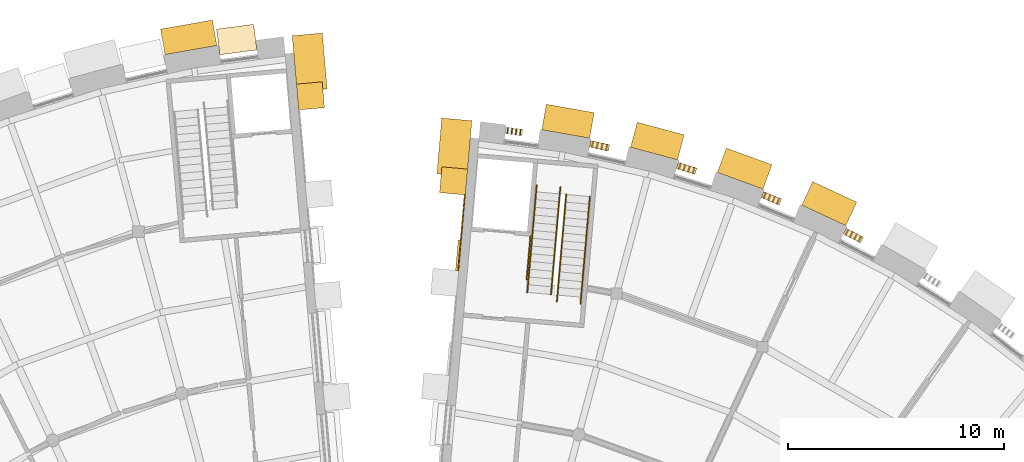
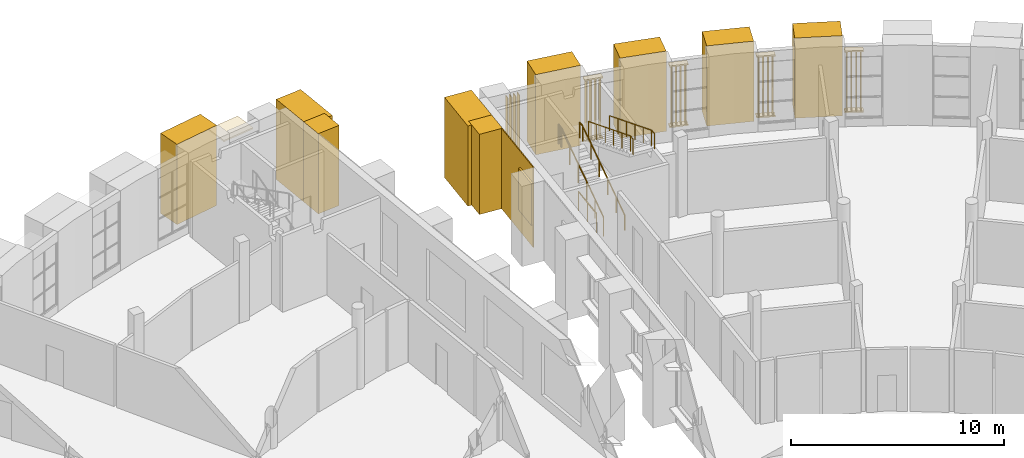
# One storey, part 47 of 50: 40 coverings, 5 railings.
"""IFC4 building model written with IfcOpenShell, lengths in metres."""

from ifc_helpers import new_model, si_unit, direction, frame, origin, origin_2d, place, context, subcontext, project, spatial, polyline, rectangle, circle, outline, extrude, material, layer, layer_set, type_object, element, save


model = new_model("IFC4")

# Units and contexts
model_context = context("Model", 3, precision=1e-05, world=origin(), true_north=direction((0.0, 1.0)))
body_context = subcontext(model_context, "Body", "Model", "MODEL_VIEW")
ifc_project = project(units=[si_unit("LENGTHUNIT", "METRE"), si_unit("AREAUNIT", "SQUARE_METRE"), si_unit("VOLUMEUNIT", "CUBIC_METRE"), si_unit("PLANEANGLEUNIT", "RADIAN"), si_unit("MASSUNIT", "GRAM", prefix="KILO")], contexts=[model_context])

# Site, building, storey
site_placement = place(None, origin())
site = spatial("IfcSite", under=ifc_project, at=site_placement, CompositionType="ELEMENT")
building_placement = place(site_placement, origin())
building = spatial("IfcBuilding", under=site, at=building_placement, Name="Volute Hill Aquarium", CompositionType="ELEMENT")
storey_placement = place(building_placement, frame((0.0, 0.0, 9.199951171875)))
storey = spatial("IfcBuildingStorey", under=building, at=storey_placement, Name="L03", CompositionType="ELEMENT", Elevation=9.199951171875)

# Coverings
ifc_material_1 = material(Name="Aluminium", Category="aluminium")
ifc_layer_1 = layer(ifc_material_1, 0.10009765625)
ifc_layer_set_1 = layer_set([ifc_layer_1], Name="End wall plant louvre panel 100")
covering_type_1 = type_object("IfcCoveringType", Name="End wall plant louvre panel 100", PredefinedType="CLADDING", material=ifc_layer_set_1)
covering_1_placement = place(storey_placement, frame((3.34326171875, 41.65673828125, 1.300048828125), z_axis=(0.0, 0.0, 1.0), x_axis=(0.087153815516, 0.996194866701, 0.0)))
element("IfcCovering", 1, at=covering_1_placement, inside=storey, type_object=covering_type_1, Name="End wall plant louvre EWV S5B L03 5", PredefinedType="CLADDING", context=body_context, shape_type="SweptSolid", body=[
    extrude(rectangle(XDim=1.4111328125, YDim=0.10009765625, at=origin_2d()), origin(), (0.0, 0.0, 1.0), 2.39990234375),
])
ifc_material_2 = material(Name="Precast concrete C40/50", Category="concrete")
covering_type_2 = type_object("IfcCoveringType", Name="End wall precast fin C40/50 1200x1200", PredefinedType="CLADDING", material=ifc_material_2)
for number, where, z_axis, x_axis, name in (
    (2, (3.142578125, 45.09765625, 0.0), (0.0, 0.0, 1.0), (0.087153815516, 0.996194866701, 0.0), "End wall fin EWF S5B L03 6"),
    (3, (-3.48681640625, 49.03271484375, 0.0), (0.0, 0.0, 1.0), (-0.08715511842, 0.996194752713, 0.0), "End wall fin EWF S6A L03 7"),
):
    element("IfcCovering", number, at=place(storey_placement, frame(where, z_axis=z_axis, x_axis=x_axis)), inside=storey, type_object=covering_type_2, Name=name, PredefinedType="CLADDING", context=body_context, shape_type="SweptSolid", body=[
        extrude(rectangle(XDim=1.199951171875, YDim=1.199951171875, at=origin_2d()), origin(), (0.0, 0.0, 1.0), 4.60009765625),
    ])
ifc_material_3 = material(Name="Precast concrete C40/50", Category="concrete")
ifc_layer_2 = layer(ifc_material_3, 0.050048828125)
ifc_layer_set_2 = layer_set([ifc_layer_2], Name="End wall precast infill panel C40/50 50")
covering_type_3 = type_object("IfcCoveringType", Name="End wall precast infill panel C40/50 50", PredefinedType="CLADDING", material=ifc_layer_set_2)
covering_2_placement = place(storey_placement, frame((3.381591796875, 40.945068359375, 0.0), z_axis=(0.996195902867, -0.087141971011, 0.0), x_axis=(0.087141971011, 0.996195902867, 0.0)))
element("IfcCovering", 4, at=covering_2_placement, inside=storey, type_object=covering_type_3, Name="End wall panel EWP S5B L03 5", PredefinedType="CLADDING", context=body_context, shape_type="SweptSolid", body=[
    extrude(outline(polyline([(0.0, 0.0), (3.516060984386417, 0.0), (3.516060984386417, 4.600097656250001), (0.0, 4.600097656250001), (0.0, 0.0)])), origin(), (0.0, 0.0, -1.0), 0.050048828125),
])

# Railings
ifc_material_4 = material(Name="Stainless steel 1.4301", Category="steel")
railing_type_1 = type_object("IfcRailingType", Name="Guard 1100 stainless", PredefinedType="GUARDRAIL", material=ifc_material_4)
railing_1_placement = place(storey_placement, frame((6.701904296875, 42.527587890625, 0.0)))
element("IfcRailing", 5, at=railing_1_placement, inside=storey, type_object=railing_type_1, Name="gd/S5-B/L03/edge", PredefinedType="GUARDRAIL", context=body_context, shape_type="SweptSolid", body=[
    extrude(circle(Radius=0.02392578125, at=origin_2d()), frame((0.0, 0.0, 1.076171875), z_axis=(-0.087166950281, -0.996193717496, 0.0), x_axis=(0.996193717496, -0.087166950281, 0.0)), (0.0, 0.0, 1.0), 1.999755859375),
    extrude(circle(Radius=0.02099609375, at=origin_2d()), origin(), (0.0, 0.0, 1.0), 1.052001953125),
    extrude(circle(Radius=0.02099609375, at=origin_2d()), frame((-0.087158203125, -0.99609375, 0.0)), (0.0, 0.0, 1.0), 1.052001953125),
    extrude(circle(Radius=0.02099609375, at=origin_2d()), frame((-0.17431640625, -1.9921875, 0.0)), (0.0, 0.0, 1.0), 1.052001953125),
])
railing_2_placement = place(storey_placement, frame((6.55517578125, 39.9306640625, 0.164306640625)))
element("IfcRailing", 6, at=railing_2_placement, inside=storey, type_object=railing_type_1, Name="gd/S5-B/L03/1", PredefinedType="GUARDRAIL", context=body_context, shape_type="SweptSolid", body=[
    extrude(circle(Radius=0.02392578125, at=origin_2d()), frame((0.0, 0.0, 1.076171875), z_axis=(0.079257047186, 0.906282977881, 0.415174041187), x_axis=(-0.996197793412, 0.087120355834, 0.0)), (0.0, 0.0, 1.0), 5.144287109375),
    extrude(circle(Radius=0.02392578125, at=origin_2d()), frame((0.40771484375, 4.662109375, 3.2119140625), z_axis=(0.087893810296, 0.996129850025, 0.0), x_axis=(-0.996129850025, 0.087893810296, 0.0)), (0.0, 0.0, 1.0), 0.300048828125),
    extrude(circle(Radius=0.02099609375, at=origin_2d()), origin(), (0.0, 0.0, 1.0), 1.052001953125),
    extrude(circle(Radius=0.02099609375, at=origin_2d()), frame((0.08154296875, 0.932373046875, 0.42724609375)), (0.0, 0.0, 1.0), 1.052001953125),
    extrude(circle(Radius=0.02099609375, at=origin_2d()), frame((0.1630859375, 1.86474609375, 0.854248046875)), (0.0, 0.0, 1.0), 1.052001953125),
    extrude(circle(Radius=0.02099609375, at=origin_2d()), frame((0.24462890625, 2.79736328125, 1.281494140625)), (0.0, 0.0, 1.0), 1.052001953125),
    extrude(circle(Radius=0.02099609375, at=origin_2d()), frame((0.326171875, 3.729736328125, 1.70849609375)), (0.0, 0.0, 1.0), 1.052001953125),
    extrude(circle(Radius=0.02099609375, at=origin_2d()), frame((0.40771484375, 4.662109375, 2.1357421875)), (0.0, 0.0, 1.0), 1.052001953125),
    extrude(circle(Radius=0.02099609375, at=origin_2d()), frame((0.43408203125, 4.9609375, 2.1357421875)), (0.0, 0.0, 1.0), 1.052001953125),
])
ifc_material_5 = material(Name="Stainless steel 1.4301", Category="steel")
railing_type_2 = type_object("IfcRailingType", Name="Handrail 48 stainless", PredefinedType="HANDRAIL", material=ifc_material_5)
railing_3_placement = place(storey_placement, frame((7.65087890625, 39.834716796875, 0.164306640625)))
element("IfcRailing", 7, at=railing_3_placement, inside=storey, type_object=railing_type_2, Name="hr/S5-B/L03/2", PredefinedType="HANDRAIL", context=body_context, shape_type="SweptSolid", body=[
    extrude(circle(Radius=0.02392578125, at=origin_2d()), frame((0.0, 0.0, 0.8759765625), z_axis=(0.079300797264, 0.906288046285, 0.415154622658), x_axis=(-0.996193660874, 0.087167597388, 0.0)), (0.0, 0.0, 1.0), 5.14453125),
    extrude(circle(Radius=0.02392578125, at=origin_2d()), frame((0.407958984375, 4.662353515625, 3.01171875), z_axis=(0.087086179441, 0.996200781645, 0.0), x_axis=(-0.996200781645, 0.087086179441, 0.0)), (0.0, 0.0, 1.0), 0.300048828125),
    extrude(circle(Radius=0.02099609375, at=origin_2d()), origin(), (0.0, 0.0, 1.0), 0.851806640625),
    extrude(circle(Radius=0.02099609375, at=origin_2d()), frame((0.08154296875, 0.932373046875, 0.42724609375)), (0.0, 0.0, 1.0), 0.851806640625),
    extrude(circle(Radius=0.02099609375, at=origin_2d()), frame((0.1630859375, 1.864990234375, 0.854248046875)), (0.0, 0.0, 1.0), 0.851806640625),
    extrude(circle(Radius=0.02099609375, at=origin_2d()), frame((0.244873046875, 2.79736328125, 1.281494140625)), (0.0, 0.0, 1.0), 0.851806640625),
    extrude(circle(Radius=0.02099609375, at=origin_2d()), frame((0.326416015625, 3.72998046875, 1.70849609375)), (0.0, 0.0, 1.0), 0.851806640625),
    extrude(circle(Radius=0.02099609375, at=origin_2d()), frame((0.407958984375, 4.662353515625, 2.1357421875)), (0.0, 0.0, 1.0), 0.851806640625),
    extrude(circle(Radius=0.02099609375, at=origin_2d()), frame((0.43408203125, 4.961181640625, 2.1357421875)), (0.0, 0.0, 1.0), 0.851806640625),
])
railing_4_placement = place(storey_placement, frame((8.357666015625, 44.470703125, 2.46435546875)))
element("IfcRailing", 8, at=railing_4_placement, inside=storey, type_object=railing_type_2, Name="hr/S5-B/L03/3", PredefinedType="HANDRAIL", context=body_context, shape_type="SweptSolid", body=[
    extrude(circle(Radius=0.02392578125, at=origin_2d()), frame((0.0, 0.0, 0.8759765625), z_axis=(-0.079304208105, -0.90627956791, 0.415172479057), x_axis=(0.996193264484, -0.087172127406, 0.0)), (0.0, 0.0, 1.0), 5.144287109375),
    extrude(circle(Radius=0.02392578125, at=origin_2d()), frame((-0.407958984375, -4.662109375, 3.01171875), z_axis=(-0.087086179441, -0.996200781645, 0.0), x_axis=(0.996200781645, -0.087086179441, 0.0)), (0.0, 0.0, 1.0), 0.300048828125),
    extrude(circle(Radius=0.02099609375, at=origin_2d()), origin(), (0.0, 0.0, 1.0), 0.851806640625),
    extrude(circle(Radius=0.02099609375, at=origin_2d()), frame((-0.08154296875, -0.932373046875, 0.42724609375)), (0.0, 0.0, 1.0), 0.851806640625),
    extrude(circle(Radius=0.02099609375, at=origin_2d()), frame((-0.1630859375, -1.86474609375, 0.854248046875)), (0.0, 0.0, 1.0), 0.851806640625),
    extrude(circle(Radius=0.02099609375, at=origin_2d()), frame((-0.244873046875, -2.79736328125, 1.281494140625)), (0.0, 0.0, 1.0), 0.851806640625),
    extrude(circle(Radius=0.02099609375, at=origin_2d()), frame((-0.326416015625, -3.729736328125, 1.70849609375)), (0.0, 0.0, 1.0), 0.851806640625),
    extrude(circle(Radius=0.02099609375, at=origin_2d()), frame((-0.407958984375, -4.662109375, 2.1357421875)), (0.0, 0.0, 1.0), 0.851806640625),
    extrude(circle(Radius=0.02099609375, at=origin_2d()), frame((-0.43408203125, -4.9609375, 2.1357421875)), (0.0, 0.0, 1.0), 0.851806640625),
])
railing_5_placement = place(storey_placement, frame((9.45361328125, 44.375, 2.46435546875)))
element("IfcRailing", 9, at=railing_5_placement, inside=storey, type_object=railing_type_2, Name="hr/S5-B/L03/4", PredefinedType="HANDRAIL", context=body_context, shape_type="SweptSolid", body=[
    extrude(circle(Radius=0.02392578125, at=origin_2d()), frame((0.0, 0.0, 0.8759765625), z_axis=(-0.079300797264, -0.906288046285, 0.415154622658), x_axis=(0.996193660874, -0.087167597388, 0.0)), (0.0, 0.0, 1.0), 5.14453125),
    extrude(circle(Radius=0.02392578125, at=origin_2d()), frame((-0.407958984375, -4.662353515625, 3.01171875), z_axis=(-0.087086179441, -0.996200781645, 0.0), x_axis=(0.996200781645, -0.087086179441, 0.0)), (0.0, 0.0, 1.0), 0.300048828125),
    extrude(circle(Radius=0.02099609375, at=origin_2d()), origin(), (0.0, 0.0, 1.0), 0.851806640625),
    extrude(circle(Radius=0.02099609375, at=origin_2d()), frame((-0.08154296875, -0.932373046875, 0.42724609375)), (0.0, 0.0, 1.0), 0.851806640625),
    extrude(circle(Radius=0.02099609375, at=origin_2d()), frame((-0.1630859375, -1.864990234375, 0.854248046875)), (0.0, 0.0, 1.0), 0.851806640625),
    extrude(circle(Radius=0.02099609375, at=origin_2d()), frame((-0.244873046875, -2.79736328125, 1.281494140625)), (0.0, 0.0, 1.0), 0.851806640625),
    extrude(circle(Radius=0.02099609375, at=origin_2d()), frame((-0.326416015625, -3.72998046875, 1.70849609375)), (0.0, 0.0, 1.0), 0.851806640625),
    extrude(circle(Radius=0.02099609375, at=origin_2d()), frame((-0.407958984375, -4.662353515625, 2.1357421875)), (0.0, 0.0, 1.0), 0.851806640625),
    extrude(circle(Radius=0.02099609375, at=origin_2d()), frame((-0.43408203125, -4.961181640625, 2.1357421875)), (0.0, 0.0, 1.0), 0.851806640625),
])

# Coverings
ifc_material_6 = material(Name="Aluminium, anodised", Category="aluminium")
ifc_layer_3 = layer(ifc_material_6, 0.080078125)
ifc_layer_set_3 = layer_set([ifc_layer_3], Name="Horizontal brise-soleil eyebrow 1200x80")
covering_type_4 = type_object("IfcCoveringType", Name="Horizontal brise-soleil eyebrow 1200x80", PredefinedType="CLADDING", material=ifc_layer_set_3)
covering_3_placement = place(storey_placement, frame((-6.89990234375, 51.64208984375, 3.860107421875), z_axis=(0.0, 0.0, 1.0), x_axis=(-0.991444832339, -0.130526412759, 0.0)))
element("IfcCovering", 10, at=covering_3_placement, inside=storey, type_object=covering_type_4, Name="Brise-soleil eyebrow BS S6 L03 1.1", PredefinedType="CLADDING", context=body_context, shape_type="SweptSolid", body=[
    extrude(rectangle(XDim=1.733642578125, YDim=1.199951171875, at=origin_2d()), origin(), (0.0, 0.0, 1.0), 0.080078125),
])
ifc_material_7 = material(Name="Aluminium", Category="aluminium")
covering_type_5 = type_object("IfcCoveringType", Name="Plant louvre slat 40x300", PredefinedType="CLADDING", material=ifc_material_7)
for number, where, z_axis, x_axis, name in (
    (11, (21.95166015625, 42.410400390625, 0.5302734375), (0.0, 0.0, 1.0), (-0.887006559862, 0.461756822107, 0.0), "Plant louvre slat S5 L03 6.1.1"),
    (12, (21.753662109375, 42.513671875, 0.5302734375), (0.0, 0.0, 1.0), (-0.887006559862, 0.461756822107, 0.0), "Plant louvre slat S5 L03 6.1.2"),
    (13, (21.5556640625, 42.61669921875, 0.5302734375), (0.0, 0.0, 1.0), (-0.887006559862, 0.461756822107, 0.0), "Plant louvre slat S5 L03 6.1.3"),
    (14, (21.357666015625, 42.7197265625, 0.5302734375), (0.0, 0.0, 1.0), (-0.887006559862, 0.461756822107, 0.0), "Plant louvre slat S5 L03 6.1.4"),
    (15, (18.171875, 44.162353515625, 0.5302734375), (0.0, 0.0, 1.0), (-0.92387858834, 0.382685711789, 0.0), "Plant louvre slat S5 L03 7.1.1"),
    (16, (17.965576171875, 44.247802734375, 0.5302734375), (0.0, 0.0, 1.0), (-0.92387858834, 0.382685711789, 0.0), "Plant louvre slat S5 L03 7.1.2"),
    (17, (17.75927734375, 44.333251953125, 0.5302734375), (0.0, 0.0, 1.0), (-0.92387858834, 0.382685711789, 0.0), "Plant louvre slat S5 L03 7.1.3"),
    (18, (17.55322265625, 44.418701171875, 0.5302734375), (0.0, 0.0, 1.0), (-0.92387858834, 0.382685711789, 0.0), "Plant louvre slat S5 L03 7.1.4"),
    (19, (14.253662109375, 45.578125, 0.5302734375), (0.0, 0.0, 1.0), (-0.95371759465, 0.3007037573, 0.0), "Plant louvre slat S5 L03 8.1.1"),
    (20, (14.040771484375, 45.645263671875, 0.5302734375), (0.0, 0.0, 1.0), (-0.95371759465, 0.3007037573, 0.0), "Plant louvre slat S5 L03 8.1.2"),
    (21, (13.827880859375, 45.71240234375, 0.5302734375), (0.0, 0.0, 1.0), (-0.95371759465, 0.3007037573, 0.0), "Plant louvre slat S5 L03 8.1.3"),
    (22, (13.614990234375, 45.779296875, 0.5302734375), (0.0, 0.0, 1.0), (-0.95371759465, 0.3007037573, 0.0), "Plant louvre slat S5 L03 8.1.4"),
    (23, (10.22705078125, 46.64697265625, 0.5302734375), (0.0, 0.0, 1.0), (-0.976299687728, 0.21642301112, 0.0), "Plant louvre slat S5 L03 9.1.1"),
    (24, (10.009033203125, 46.695068359375, 0.5302734375), (0.0, 0.0, 1.0), (-0.976299687728, 0.21642301112, 0.0), "Plant louvre slat S5 L03 9.1.2"),
    (25, (9.791259765625, 46.743408203125, 0.5302734375), (0.0, 0.0, 1.0), (-0.976299687728, 0.21642301112, 0.0), "Plant louvre slat S5 L03 9.1.3"),
    (26, (9.5732421875, 46.791748046875, 0.5302734375), (0.0, 0.0, 1.0), (-0.976299687728, 0.21642301112, 0.0), "Plant louvre slat S5 L03 9.1.4"),
    (27, (6.234375, 47.345947265625, 0.5302734375), (0.0, 0.0, 1.0), (-0.991442570657, 0.130543590761, 0.0), "Plant louvre slat S5 L03 10.1.1"),
    (28, (6.037841796875, 47.371826171875, 0.5302734375), (0.0, 0.0, 1.0), (-0.991442570657, 0.130543590761, 0.0), "Plant louvre slat S5 L03 10.1.2"),
    (29, (5.84130859375, 47.397705078125, 0.5302734375), (0.0, 0.0, 1.0), (-0.991442570657, 0.130543590761, 0.0), "Plant louvre slat S5 L03 10.1.3"),
    (30, (5.644775390625, 47.423583984375, 0.5302734375), (0.0, 0.0, 1.0), (-0.991442570657, 0.130543590761, 0.0), "Plant louvre slat S5 L03 10.1.4"),
):
    element("IfcCovering", number, at=place(storey_placement, frame(where, z_axis=z_axis, x_axis=x_axis)), inside=storey, type_object=covering_type_5, Name=name, PredefinedType="CLADDING", context=body_context, shape_type="SweptSolid", body=[
        extrude(rectangle(XDim=0.0400390625, YDim=0.300048828125, at=origin_2d()), origin(), (0.0, 0.0, 1.0), 3.389892578125),
    ])
ifc_material_8 = material(Name="Aluminium", Category="aluminium")
covering_type_6 = type_object("IfcCoveringType", Name="Plant louvre slat rail 300x80", PredefinedType="CLADDING", material=ifc_material_8)
for number, where, z_axis, x_axis, name in (
    (31, (21.65478515625, 42.565185546875, 0.449951171875), (0.0, 0.0, 1.0), (-0.887006559862, 0.461756822107, 0.0), "Plant louvre slat rail S5 L03 6.1"),
    (32, (21.65478515625, 42.565185546875, 3.919921875), (0.0, 0.0, 1.0), (-0.887006559862, 0.461756822107, 0.0), "Plant louvre slat rail S5 L03 6.2"),
    (33, (17.862548828125, 44.29052734375, 0.449951171875), (0.0, 0.0, 1.0), (-0.92387858834, 0.382685711789, 0.0), "Plant louvre slat rail S5 L03 7.1"),
    (34, (17.862548828125, 44.29052734375, 3.919921875), (0.0, 0.0, 1.0), (-0.92387858834, 0.382685711789, 0.0), "Plant louvre slat rail S5 L03 7.2"),
    (35, (13.934326171875, 45.6787109375, 0.449951171875), (0.0, 0.0, 1.0), (-0.95371759465, 0.3007037573, 0.0), "Plant louvre slat rail S5 L03 8.1"),
    (36, (13.934326171875, 45.6787109375, 3.919921875), (0.0, 0.0, 1.0), (-0.95371759465, 0.3007037573, 0.0), "Plant louvre slat rail S5 L03 8.2"),
    (37, (9.900146484375, 46.71923828125, 0.449951171875), (0.0, 0.0, 1.0), (-0.976299687728, 0.21642301112, 0.0), "Plant louvre slat rail S5 L03 9.1"),
    (38, (9.900146484375, 46.71923828125, 3.919921875), (0.0, 0.0, 1.0), (-0.976299687728, 0.21642301112, 0.0), "Plant louvre slat rail S5 L03 9.2"),
):
    element("IfcCovering", number, at=place(storey_placement, frame(where, z_axis=z_axis, x_axis=x_axis)), inside=storey, type_object=covering_type_6, Name=name, PredefinedType="CLADDING", context=body_context, shape_type="SweptSolid", body=[
        extrude(rectangle(XDim=0.892822265625, YDim=0.300048828125, at=origin_2d()), origin(), (0.0, 0.0, 1.0), 0.080078125),
    ])
ifc_material_9 = material(Name="Precast concrete C40/50", Category="concrete")
covering_type_7 = type_object("IfcCoveringType", Name="Projecting pier precast concrete C40/50 2249x1200", PredefinedType="CLADDING", material=ifc_material_9)
for number, where, z_axis, x_axis, name in (
    (39, (20.538330078125, 44.044677734375, 0.0), (0.0, 0.0, 1.0), (-0.906307787037, 0.422618261741, 0.0), "Projecting pier PP S5 L03 6"),
    (40, (16.62158203125, 45.667236328125, 0.0), (0.0, 0.0, 1.0), (-0.939692620786, 0.342020143326, 0.0), "Projecting pier PP S5 L03 7"),
    (41, (12.578125, 46.94189453125, 0.0), (0.0, 0.0, 1.0), (-0.965925826289, 0.258819045103, 0.0), "Projecting pier PP S5 L03 8"),
    (42, (8.43896484375, 47.859619140625, 0.0), (0.0, 0.0, 1.0), (-0.984807753012, 0.173648177667, 0.0), "Projecting pier PP S5 L03 9"),
):
    element("IfcCovering", number, at=place(storey_placement, frame(where, z_axis=z_axis, x_axis=x_axis)), inside=storey, type_object=covering_type_7, Name=name, PredefinedType="CLADDING", context=body_context, shape_type="SweptSolid", body=[
        extrude(rectangle(XDim=2.24853515625, YDim=1.199951171875, at=origin_2d()), origin(), (0.0, 0.0, 1.0), 4.60009765625),
    ])
ifc_material_10 = material(Name="Precast concrete C40/50", Category="concrete")
covering_type_8 = type_object("IfcCoveringType", Name="Projecting pier precast concrete C40/50 2435x1200", PredefinedType="CLADDING", material=ifc_material_10)
covering_4_placement = place(storey_placement, frame((-9.1240234375, 51.745361328125, 0.0), z_axis=(0.0, 0.0, 1.0), x_axis=(-0.984807753012, -0.173648177667, 0.0)))
element("IfcCovering", 43, at=covering_4_placement, inside=storey, type_object=covering_type_8, Name="Projecting pier PP S6 L03 1", PredefinedType="CLADDING", context=body_context, shape_type="SweptSolid", body=[
    extrude(rectangle(XDim=2.435302734375, YDim=1.199951171875, at=origin_2d()), origin(), (0.0, 0.0, 1.0), 4.60009765625),
])
ifc_material_11 = material(Name="Precast concrete C40/50", Category="concrete")
covering_type_9 = type_object("IfcCoveringType", Name="Step pylon precast concrete C40/50 1400x2600", PredefinedType="CLADDING", material=ifc_material_11)
for number, where, z_axis, x_axis, name in (
    (44, (3.177978515625, 46.650634765625, 0.0), (0.0, 0.0, 1.0), (0.087155742748, 0.996194698092, 0.0), "Step pylon SPY S5B L03"),
    (45, (-3.522216796875, 50.58544921875, 0.0), (0.0, 0.0, 1.0), (-0.087155742748, 0.996194698092, 0.0), "Step pylon SPY S6A L03"),
):
    element("IfcCovering", number, at=place(storey_placement, frame(where, z_axis=z_axis, x_axis=x_axis)), inside=storey, type_object=covering_type_9, Name=name, PredefinedType="CLADDING", context=body_context, shape_type="SweptSolid", body=[
        extrude(rectangle(XDim=2.60009765625, YDim=1.39990234375, at=origin_2d()), origin(), (0.0, 0.0, 1.0), 4.60009765625),
    ])

save(model, "model.ifc")
